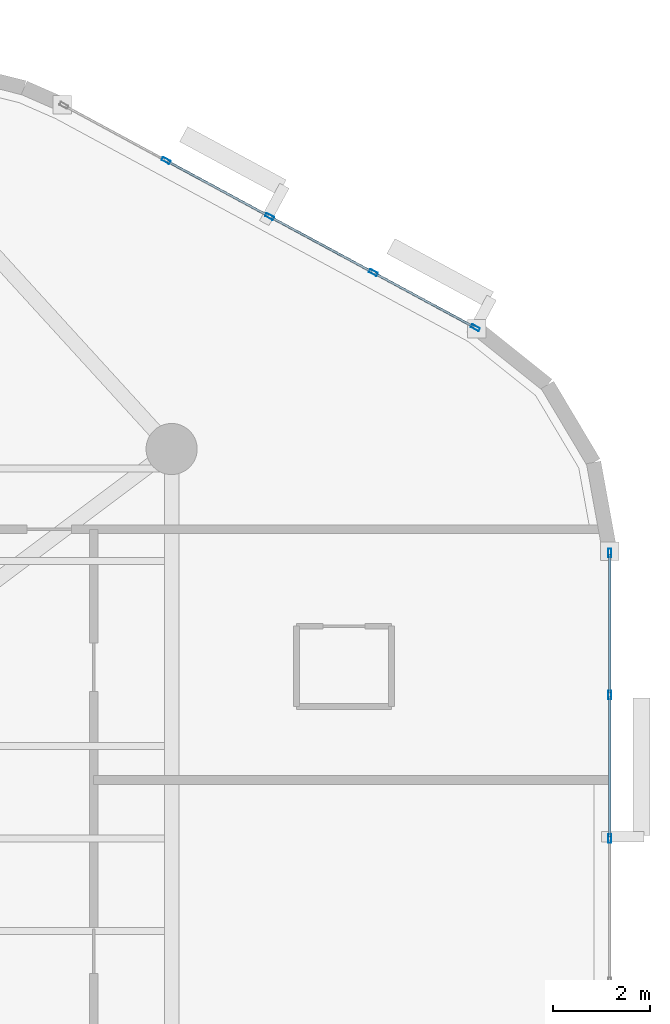
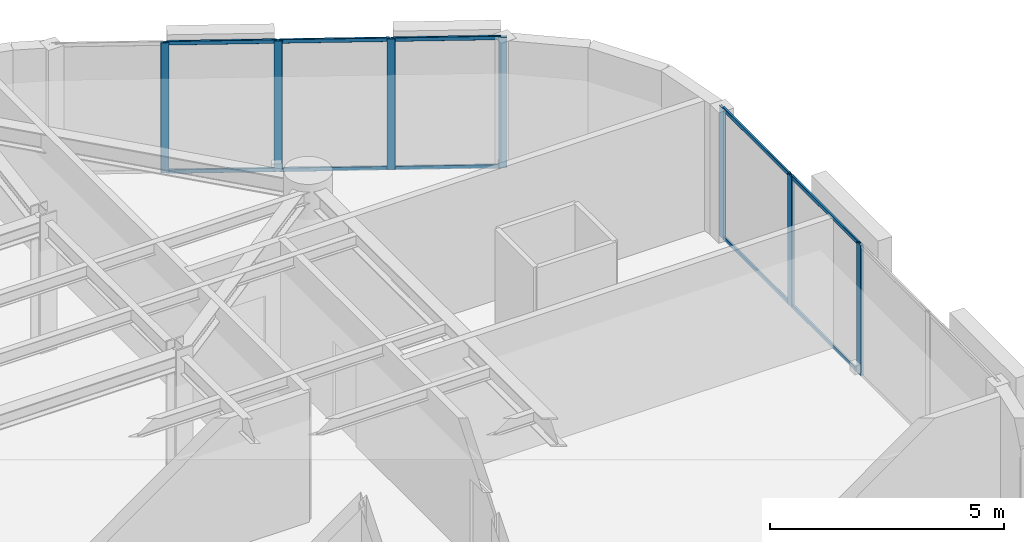
# One storey, part 6 of 13: 17 members, 2 elements without a shape of their own.
"""IFC4 building model written with IfcOpenShell, lengths in metres."""

from ifc_helpers import new_model, si_unit, direction, frame, origin, origin_2d, place, context, subcontext, project, spatial, hollow_rectangle, extrude, material, layer, layer_set, material_profile, profile_set, type_object, element, aggregate, save


model = new_model("IFC4")

# Units and contexts
model_context = context("Model", 3, precision=1e-05, world=origin(), true_north=direction((0.0, 1.0)))
body_context = subcontext(model_context, "Body", "Model", "MODEL_VIEW")
ifc_project = project(units=[si_unit("LENGTHUNIT", "METRE"), si_unit("AREAUNIT", "SQUARE_METRE"), si_unit("VOLUMEUNIT", "CUBIC_METRE"), si_unit("PLANEANGLEUNIT", "RADIAN"), si_unit("MASSUNIT", "GRAM", prefix="KILO")], contexts=[model_context])

# Site, building, storey
site_placement = place(None, origin())
site = spatial("IfcSite", under=ifc_project, at=site_placement, CompositionType="ELEMENT")
building_placement = place(site_placement, origin())
building = spatial("IfcBuilding", under=site, at=building_placement, Name="An Khanh Terracotta Commons", CompositionType="ELEMENT")
storey_placement = place(building_placement, frame((0.0, 0.0, 226.5)))
storey = spatial("IfcBuildingStorey", under=building, at=storey_placement, Name="L59", CompositionType="ELEMENT", Elevation=226.5)

# Curtain wall, members
ifc_material = material(Name="Anodised Aluminium 6063-T6", Category="aluminium")
ifc_layer = layer(ifc_material, 0.2099609375, Name="Anodised Aluminium 6063-T6")
ifc_layer_set = layer_set([ifc_layer], Name="Anodised Aluminium 6063-T6")
curtain_wall_type = type_object("IfcCurtainWallType", Name="CW-SYS-03", PredefinedType="USERDEFINED", material=ifc_layer_set)
curtain_wall_1_placement = place(storey_placement, origin())
curtain_wall_1 = element("IfcCurtainWall", 1, at=curtain_wall_1_placement, inside=storey, type_object=curtain_wall_type, Name="L59 CW-03 Unitised Curtain Wall CW-L59-12", ObjectType="UNITISED CURTAIN WALL", PredefinedType="USERDEFINED")
ifc_material_profile_1 = material_profile(ifc_material, hollow_rectangle(XDim=0.070068359375, YDim=0.179931640625, WallThickness=0.00390625, InnerFilletRadius=0.00390625, OuterFilletRadius=0.008056640625, at=origin_2d()), Name="RHS180x70x4")
ifc_profile_set_1 = profile_set([ifc_material_profile_1], Name="Anodised Aluminium 6063-T6")
member_type_1 = type_object("IfcMemberType", Name="CWM-RHS180x70x4", PredefinedType="MULLION", material=ifc_profile_set_1)
member_1_placement = place(storey_placement, frame((68.60009765625, 24.0, 0.0), z_axis=(0.0, 0.0, 1.0), x_axis=(-1.0, 0.0, 0.0)))
member_1 = element("IfcMember", 2, at=member_1_placement, type_object=member_type_1, Name="CW-03 mullion 3", PredefinedType="MULLION", context=body_context, shape_type="SweptSolid", body=[
    extrude(hollow_rectangle(XDim=0.070068359375, YDim=0.179931640625, WallThickness=0.00390625, InnerFilletRadius=0.00390625, OuterFilletRadius=0.008056640625, at=origin_2d()), origin(), (0.0, 0.0, 1.0), 3.39990234375),
])
member_2_placement = place(storey_placement, frame((68.60009765625, 26.949462890625, 0.0), z_axis=(0.0, 0.0, 1.0), x_axis=(-1.0, 0.0, 0.0)))
member_2 = element("IfcMember", 3, at=member_2_placement, type_object=member_type_1, Name="CW-03 mullion 4", PredefinedType="MULLION", context=body_context, shape_type="SweptSolid", body=[
    extrude(hollow_rectangle(XDim=0.070068359375, YDim=0.179931640625, WallThickness=0.00390625, InnerFilletRadius=0.00390625, OuterFilletRadius=0.008056640625, at=origin_2d()), origin(), (0.0, 0.0, 1.0), 3.39990234375),
])
member_3_placement = place(storey_placement, frame((68.60009765625, 29.864013671875, 0.0), z_axis=(0.0, 0.0, 1.0), x_axis=(-1.0, 0.0, 0.0)))
member_3 = element("IfcMember", 4, at=member_3_placement, type_object=member_type_1, Name="CW-03 mullion 5", PredefinedType="MULLION", context=body_context, shape_type="SweptSolid", body=[
    extrude(hollow_rectangle(XDim=0.070068359375, YDim=0.179931640625, WallThickness=0.00390625, InnerFilletRadius=0.00390625, OuterFilletRadius=0.008056640625, at=origin_2d()), origin(), (0.0, 0.0, 1.0), 3.39990234375),
])

curtain_wall_2_placement = place(storey_placement, origin())
curtain_wall_2 = element("IfcCurtainWall", 5, at=curtain_wall_2_placement, inside=storey, type_object=curtain_wall_type, Name="L59 CW-03 Unitised Curtain Wall CW-L59-16", ObjectType="UNITISED CURTAIN WALL", PredefinedType="USERDEFINED")
member_4_placement = place(storey_placement, frame((65.84130859375, 34.49072265625, 0.0), z_axis=(0.0, 0.0, 1.0), x_axis=(-0.47538088298, -0.879780095306, 0.0)))
member_4 = element("IfcMember", 6, at=member_4_placement, type_object=member_type_1, Name="CW-03 mullion 1", PredefinedType="MULLION", context=body_context, shape_type="SweptSolid", body=[
    extrude(hollow_rectangle(XDim=0.070068359375, YDim=0.179931640625, WallThickness=0.00390625, InnerFilletRadius=0.00390625, OuterFilletRadius=0.008056640625, at=origin_2d()), origin(), (0.0, 0.0, 1.0), 3.39990234375),
])
member_5_placement = place(storey_placement, frame((63.7431640625, 35.624267578125, 0.0), z_axis=(0.0, 0.0, 1.0), x_axis=(-0.47538088298, -0.879780095306, 0.0)))
member_5 = element("IfcMember", 7, at=member_5_placement, type_object=member_type_1, Name="CW-03 mullion 2", PredefinedType="MULLION", context=body_context, shape_type="SweptSolid", body=[
    extrude(hollow_rectangle(XDim=0.070068359375, YDim=0.179931640625, WallThickness=0.00390625, InnerFilletRadius=0.00390625, OuterFilletRadius=0.008056640625, at=origin_2d()), origin(), (0.0, 0.0, 1.0), 3.39990234375),
])
member_6_placement = place(storey_placement, frame((61.614501953125, 36.7744140625, 0.0), z_axis=(0.0, 0.0, 1.0), x_axis=(-0.47538088298, -0.879780095306, 0.0)))
member_6 = element("IfcMember", 8, at=member_6_placement, type_object=member_type_1, Name="CW-03 mullion 3", PredefinedType="MULLION", context=body_context, shape_type="SweptSolid", body=[
    extrude(hollow_rectangle(XDim=0.070068359375, YDim=0.179931640625, WallThickness=0.00390625, InnerFilletRadius=0.00390625, OuterFilletRadius=0.008056640625, at=origin_2d()), origin(), (0.0, 0.0, 1.0), 3.39990234375),
])
member_7_placement = place(storey_placement, frame((59.48583984375, 37.9248046875, 0.0), z_axis=(0.0, 0.0, 1.0), x_axis=(-0.47538088298, -0.879780095306, 0.0)))
member_7 = element("IfcMember", 9, at=member_7_placement, type_object=member_type_1, Name="CW-03 mullion 4", PredefinedType="MULLION", context=body_context, shape_type="SweptSolid", body=[
    extrude(hollow_rectangle(XDim=0.070068359375, YDim=0.179931640625, WallThickness=0.00390625, InnerFilletRadius=0.00390625, OuterFilletRadius=0.008056640625, at=origin_2d()), origin(), (0.0, 0.0, 1.0), 3.39990234375),
])

# Member
ifc_material_profile_2 = material_profile(ifc_material, hollow_rectangle(XDim=0.050048828125, YDim=0.10009765625, WallThickness=0.003173828125, InnerFilletRadius=0.003173828125, OuterFilletRadius=0.00634765625, at=origin_2d()), Name="RHS100x50x3.2")
ifc_profile_set_2 = profile_set([ifc_material_profile_2], Name="Anodised Aluminium 6063-T6")
member_type_2 = type_object("IfcMemberType", Name="CWT-RHS100x50x3.2", PredefinedType="USERDEFINED", material=ifc_profile_set_2)
member_8_placement = place(storey_placement, frame((68.60009765625, 24.034912109375, 0.02490234375), z_axis=(0.0, 1.0, 0.0), x_axis=(-1.0, 0.0, 0.0)))
member_8 = element("IfcMember", 10, at=member_8_placement, type_object=member_type_2, Name="CW-03 transom 3.1", ObjectType="TRANSOM", PredefinedType="USERDEFINED", context=body_context, shape_type="SweptSolid", body=[
    extrude(hollow_rectangle(XDim=0.050048828125, YDim=0.10009765625, WallThickness=0.003173828125, InnerFilletRadius=0.003173828125, OuterFilletRadius=0.00634765625, at=origin_2d()), origin(), (0.0, 0.0, 1.0), 2.879638671875),
])

member_9_placement = place(storey_placement, frame((68.60009765625, 24.034912109375, 3.375), z_axis=(0.0, 1.0, 0.0), x_axis=(-1.0, 0.0, 0.0)))
member_9 = element("IfcMember", 11, at=member_9_placement, type_object=member_type_2, Name="CW-03 transom 3.2", ObjectType="TRANSOM", PredefinedType="USERDEFINED", context=body_context, shape_type="SweptSolid", body=[
    extrude(hollow_rectangle(XDim=0.050048828125, YDim=0.10009765625, WallThickness=0.003173828125, InnerFilletRadius=0.003173828125, OuterFilletRadius=0.00634765625, at=origin_2d()), origin(), (0.0, 0.0, 1.0), 2.879638671875),
])

member_10_placement = place(storey_placement, frame((68.60009765625, 26.984619140625, 0.02490234375), z_axis=(0.0, 1.0, 0.0), x_axis=(-1.0, 0.0, 0.0)))
member_10 = element("IfcMember", 12, at=member_10_placement, type_object=member_type_2, Name="CW-03 transom 4.1", ObjectType="TRANSOM", PredefinedType="USERDEFINED", context=body_context, shape_type="SweptSolid", body=[
    extrude(hollow_rectangle(XDim=0.050048828125, YDim=0.10009765625, WallThickness=0.003173828125, InnerFilletRadius=0.003173828125, OuterFilletRadius=0.00634765625, at=origin_2d()), origin(), (0.0, 0.0, 1.0), 2.844482421875),
])

member_11_placement = place(storey_placement, frame((68.60009765625, 26.984619140625, 3.375), z_axis=(0.0, 1.0, 0.0), x_axis=(-1.0, 0.0, 0.0)))
member_11 = element("IfcMember", 13, at=member_11_placement, type_object=member_type_2, Name="CW-03 transom 4.2", ObjectType="TRANSOM", PredefinedType="USERDEFINED", context=body_context, shape_type="SweptSolid", body=[
    extrude(hollow_rectangle(XDim=0.050048828125, YDim=0.10009765625, WallThickness=0.003173828125, InnerFilletRadius=0.003173828125, OuterFilletRadius=0.00634765625, at=origin_2d()), origin(), (0.0, 0.0, 1.0), 2.844482421875),
])

aggregate(curtain_wall_1, [member_1, member_2, member_3, member_8, member_9, member_10, member_11])

member_12_placement = place(storey_placement, frame((65.810302734375, 34.50732421875, 0.02490234375), z_axis=(-0.879779245677, 0.475382455373, 0.0), x_axis=(-0.475382455373, -0.879779245677, 0.0)))
member_12 = element("IfcMember", 14, at=member_12_placement, type_object=member_type_2, Name="CW-03 transom 1.1", ObjectType="TRANSOM", PredefinedType="USERDEFINED", context=body_context, shape_type="SweptSolid", body=[
    extrude(hollow_rectangle(XDim=0.050048828125, YDim=0.10009765625, WallThickness=0.003173828125, InnerFilletRadius=0.003173828125, OuterFilletRadius=0.00634765625, at=origin_2d()), origin(), (0.0, 0.0, 1.0), 2.314697265625),
])

member_13_placement = place(storey_placement, frame((65.810302734375, 34.50732421875, 3.375), z_axis=(-0.879779245677, 0.475382455373, 0.0), x_axis=(-0.475382455373, -0.879779245677, 0.0)))
member_13 = element("IfcMember", 15, at=member_13_placement, type_object=member_type_2, Name="CW-03 transom 1.2", ObjectType="TRANSOM", PredefinedType="USERDEFINED", context=body_context, shape_type="SweptSolid", body=[
    extrude(hollow_rectangle(XDim=0.050048828125, YDim=0.10009765625, WallThickness=0.003173828125, InnerFilletRadius=0.003173828125, OuterFilletRadius=0.00634765625, at=origin_2d()), origin(), (0.0, 0.0, 1.0), 2.314697265625),
])

member_14_placement = place(storey_placement, frame((63.71240234375, 35.640869140625, 0.02490234375), z_axis=(-0.879782861449, 0.475375763686, 0.0), x_axis=(-0.475375763686, -0.879782861449, 0.0)))
member_14 = element("IfcMember", 16, at=member_14_placement, type_object=member_type_2, Name="CW-03 transom 2.1", ObjectType="TRANSOM", PredefinedType="USERDEFINED", context=body_context, shape_type="SweptSolid", body=[
    extrude(hollow_rectangle(XDim=0.050048828125, YDim=0.10009765625, WallThickness=0.003173828125, InnerFilletRadius=0.003173828125, OuterFilletRadius=0.00634765625, at=origin_2d()), origin(), (0.0, 0.0, 1.0), 2.349609375),
])

member_15_placement = place(storey_placement, frame((63.71240234375, 35.640869140625, 3.375), z_axis=(-0.879782861449, 0.475375763686, 0.0), x_axis=(-0.475375763686, -0.879782861449, 0.0)))
member_15 = element("IfcMember", 17, at=member_15_placement, type_object=member_type_2, Name="CW-03 transom 2.2", ObjectType="TRANSOM", PredefinedType="USERDEFINED", context=body_context, shape_type="SweptSolid", body=[
    extrude(hollow_rectangle(XDim=0.050048828125, YDim=0.10009765625, WallThickness=0.003173828125, InnerFilletRadius=0.003173828125, OuterFilletRadius=0.00634765625, at=origin_2d()), origin(), (0.0, 0.0, 1.0), 2.349609375),
])

member_16_placement = place(storey_placement, frame((61.583740234375, 36.791259765625, 0.02490234375), z_axis=(-0.879782861449, 0.475375763686, 0.0), x_axis=(-0.475375763686, -0.879782861449, 0.0)))
member_16 = element("IfcMember", 18, at=member_16_placement, type_object=member_type_2, Name="CW-03 transom 3.1", ObjectType="TRANSOM", PredefinedType="USERDEFINED", context=body_context, shape_type="SweptSolid", body=[
    extrude(hollow_rectangle(XDim=0.050048828125, YDim=0.10009765625, WallThickness=0.003173828125, InnerFilletRadius=0.003173828125, OuterFilletRadius=0.00634765625, at=origin_2d()), origin(), (0.0, 0.0, 1.0), 2.349609375),
])

member_17_placement = place(storey_placement, frame((61.583740234375, 36.791259765625, 3.375), z_axis=(-0.879782861449, 0.475375763686, 0.0), x_axis=(-0.475375763686, -0.879782861449, 0.0)))
member_17 = element("IfcMember", 19, at=member_17_placement, type_object=member_type_2, Name="CW-03 transom 3.2", ObjectType="TRANSOM", PredefinedType="USERDEFINED", context=body_context, shape_type="SweptSolid", body=[
    extrude(hollow_rectangle(XDim=0.050048828125, YDim=0.10009765625, WallThickness=0.003173828125, InnerFilletRadius=0.003173828125, OuterFilletRadius=0.00634765625, at=origin_2d()), origin(), (0.0, 0.0, 1.0), 2.349609375),
])

aggregate(curtain_wall_2, [member_4, member_5, member_6, member_7, member_12, member_13, member_14, member_15, member_16, member_17])

save(model, "model.ifc")
